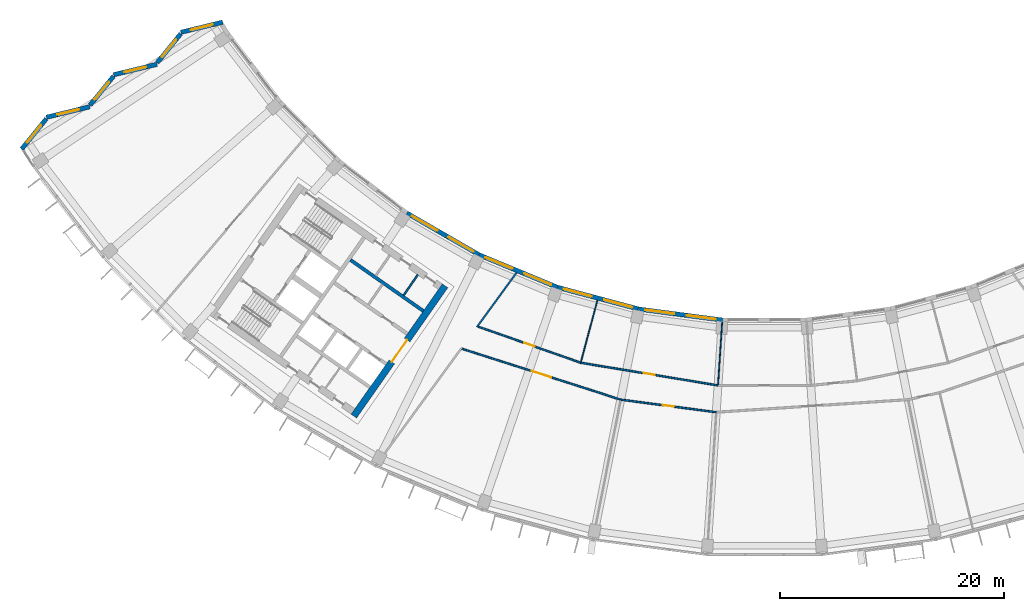
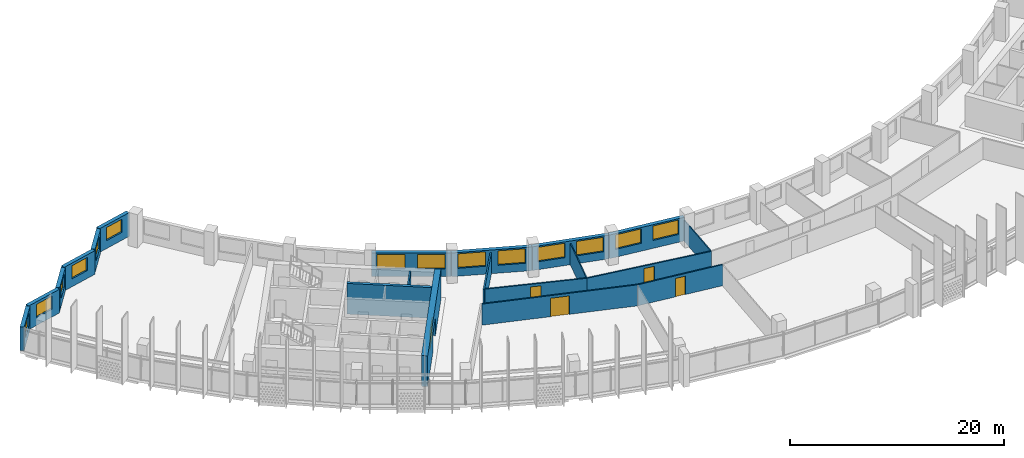
# One storey, part 4 of 27: 20 walls, 14 windows, 5 doors, 19 openings.
"""IFC4 building model written with IfcOpenShell, lengths in metres."""

from ifc_helpers import new_model, si_unit, direction, frame, frame_2d, origin, place, context, subcontext, project, spatial, rectangle, extrude, material, layer, layer_set, type_object, element, fill, save


model = new_model("IFC4")

# Units and contexts
model_context = context("Model", 3, precision=1e-05, world=origin(), true_north=direction((0.0, 1.0)))
body_context = subcontext(model_context, "Body", "Model", "MODEL_VIEW")
ifc_project = project(units=[si_unit("LENGTHUNIT", "METRE"), si_unit("AREAUNIT", "SQUARE_METRE"), si_unit("VOLUMEUNIT", "CUBIC_METRE"), si_unit("PLANEANGLEUNIT", "RADIAN"), si_unit("MASSUNIT", "GRAM", prefix="KILO")], contexts=[model_context])

# Site, building, storey
site_placement = place(None, origin())
site = spatial("IfcSite", under=ifc_project, at=site_placement, CompositionType="ELEMENT")
building_placement = place(site_placement, origin())
building = spatial("IfcBuilding", under=site, at=building_placement, Name="Qamariyya Broadcast Tower", CompositionType="ELEMENT")
storey_placement = place(building_placement, frame((0.0, 0.0, 211.300048828125)))
storey = spatial("IfcBuildingStorey", under=building, at=storey_placement, Name="L50", CompositionType="ELEMENT", Elevation=211.300048828125)

# Wall, opening, door
ifc_material_1 = material(Name="Concrete C60/75", Category="concrete")
ifc_layer_1 = layer(ifc_material_1, 0.60009765625)
ifc_layer_set_1 = layer_set([ifc_layer_1], Name="Core wall 600 mm Concrete C60/75")
wall_type_1 = type_object("IfcWallType", Name="Core wall 600 mm Concrete C60/75", PredefinedType="SHEAR", material=ifc_layer_set_1)
wall_1_placement = place(storey_placement, frame((-36.66748046875, -66.005126953125, 0.0), z_axis=(0.0, 0.0, 1.0), x_axis=(0.573568499524, 0.819157601658, 0.0)))
wall_1 = element("IfcWall", 1, at=wall_1_placement, inside=storey, type_object=wall_type_1, Name="k-W-L50-WA", PredefinedType="SHEAR", context=body_context, shape_type="SweptSolid", body=[
    extrude(rectangle(XDim=14.19970703125, YDim=0.60009765625, at=frame_2d((7.099853515625, 0.0))), origin(), (0.0, 0.0, 1.0), 3.5),
])
opening_1_placement = place(wall_1_placement, frame((5.89990234375, 0.0, 0.0)))
opening_1 = element("IfcOpeningElement", 2, at=opening_1_placement, cuts=wall_1, Name="Opening KD3-W1", PredefinedType="OPENING", context=body_context, shape_type="SweptSolid", body=[
    extrude(rectangle(XDim=2.39990234375, YDim=2.10009765625, at=frame_2d((1.199951171875, 1.050048828125))), frame((0.0, 0.31005859375, 0.0), z_axis=(0.0, -1.0, 0.0), x_axis=(1.0, 0.0, 0.0)), (0.0, 0.0, 1.0), 0.6201171875),
])
ifc_material_2 = material(Name="Steel fire-resisting door leaf", Category="steel")
door_type_1 = type_object("IfcDoorType", Name="Lift lobby door KD3", OperationType="DOUBLE_DOOR_SINGLE_SWING", PredefinedType="DOOR", material=ifc_material_2)
door_1_placement = place(opening_1_placement, origin())
door_1 = element("IfcDoor", 3, at=door_1_placement, inside=storey, type_object=door_type_1, Name="k-W-L50-WA-D1", OperationType="DOUBLE_DOOR_SINGLE_SWING", OverallHeight=2.10009765625, OverallWidth=2.39990234375, PredefinedType="DOOR", context=body_context, shape_type="SweptSolid", body=[
    extrude(rectangle(XDim=2.39990234375, YDim=2.10009765625, at=frame_2d((1.199951171875, 1.050048828125))), frame((0.0, 0.02490234375, 0.0), z_axis=(0.0, -1.0, 0.0), x_axis=(1.0, 0.0, 0.0)), (0.0, 0.0, 1.0), 0.050048828125),
])
fill(opening_1, door_1)

ifc_material_3 = material(Name="Gypsum board partition")
ifc_layer_2 = layer(ifc_material_3, 0.14990234375)
ifc_layer_set_2 = layer_set([ifc_layer_2], Name="Corridor partition 150 EI 60")
wall_type_2 = type_object("IfcWallType", Name="Corridor partition 150 EI 60", PredefinedType="PARTITIONING", material=ifc_layer_set_2)
wall_2_placement = place(storey_placement, frame((-12.8369140625, -64.53564453125, 0.0), z_axis=(0.0, 0.0, 1.0), x_axis=(-0.952262843537, 0.305279342273, 0.0)))
wall_2 = element("IfcWall", 4, at=wall_2_placement, inside=storey, type_object=wall_type_2, Name="Partition L50-003", PredefinedType="PARTITIONING", context=body_context, shape_type="SweptSolid", body=[
    extrude(rectangle(XDim=14.879638671875, YDim=0.14990234375, at=frame_2d((7.43994140625, 0.0))), origin(), (0.0, 0.0, 1.0), 2.39990234375),
])
opening_2_placement = place(wall_2_placement, frame((6.539794921875, 0.0, 0.0)))
opening_2 = element("IfcOpeningElement", 5, at=opening_2_placement, cuts=wall_2, Name="Opening L50-D01", PredefinedType="OPENING", context=body_context, shape_type="SweptSolid", body=[
    extrude(rectangle(XDim=1.800048828125, YDim=2.10009765625, at=frame_2d((0.89990234375, 1.050048828125))), frame((0.0, 0.0849609375, 0.0), z_axis=(0.0, -1.0, 0.0), x_axis=(1.0, 0.0, 0.0)), (0.0, 0.0, 1.0), 0.169921875),
])
ifc_material_4 = material(Name="Timber fire door leaf", Category="wood")
door_type_2 = type_object("IfcDoorType", Name="Double fire door 1800 x 2100 FD60", OperationType="NOTDEFINED", PredefinedType="DOOR", material=ifc_material_4)
door_2_placement = place(opening_2_placement, origin())
door_2 = element("IfcDoor", 6, at=door_2_placement, inside=storey, type_object=door_type_2, Name="Door L50-D01", OperationType="DOUBLE_DOOR_SINGLE_SWING", OverallHeight=2.10009765625, OverallWidth=1.800048828125, PredefinedType="DOOR", context=body_context, shape_type="SweptSolid", body=[
    extrude(rectangle(XDim=1.800048828125, YDim=2.10009765625, at=frame_2d((0.89990234375, 1.050048828125))), frame((0.0, 0.02490234375, 0.0), z_axis=(0.0, -1.0, 0.0), x_axis=(1.0, 0.0, 0.0)), (0.0, 0.0, 1.0), 0.050048828125),
])
fill(opening_2, door_2)

wall_3_placement = place(storey_placement, frame((-25.56103515625, -58.0126953125, 0.0), z_axis=(0.0, 0.0, 1.0), x_axis=(0.943087830275, -0.332543748081, 0.0)))
wall_3 = element("IfcWall", 7, at=wall_3_placement, inside=storey, type_object=wall_type_2, Name="Partition L50-004", PredefinedType="PARTITIONING", context=body_context, shape_type="SweptSolid", body=[
    extrude(rectangle(XDim=9.7041015625, YDim=0.14990234375, at=frame_2d((4.85205078125, 0.0))), origin(), (0.0, 0.0, 1.0), 2.39990234375),
])
opening_3_placement = place(wall_3_placement, frame((4.35205078125, 0.0, 0.0)))
opening_3 = element("IfcOpeningElement", 8, at=opening_3_placement, cuts=wall_3, Name="Opening L50-D06", PredefinedType="OPENING", context=body_context, shape_type="SweptSolid", body=[
    extrude(rectangle(XDim=1.0, YDim=2.10009765625, at=frame_2d((0.5, 1.050048828125))), frame((0.0, 0.0849609375, 0.0), z_axis=(0.0, -1.0, 0.0), x_axis=(1.0, 0.0, 0.0)), (0.0, 0.0, 1.0), 0.169921875),
])
door_type_3 = type_object("IfcDoorType", Name="Fire door 1000 x 2100 FD60", OperationType="NOTDEFINED", PredefinedType="DOOR", material=ifc_material_4)
door_3_placement = place(opening_3_placement, origin())
door_3 = element("IfcDoor", 9, at=door_3_placement, inside=storey, type_object=door_type_3, Name="Door L50-D06", OperationType="SINGLE_SWING_RIGHT", OverallHeight=2.10009765625, OverallWidth=1.0, PredefinedType="DOOR", context=body_context, shape_type="SweptSolid", body=[
    extrude(rectangle(XDim=1.0, YDim=2.10009765625, at=frame_2d((0.5, 1.050048828125))), frame((0.0, 0.02490234375, 0.0), z_axis=(0.0, -1.0, 0.0), x_axis=(1.0, 0.0, 0.0)), (0.0, 0.0, 1.0), 0.050048828125),
])
fill(opening_3, door_3)

# Wall
wall_4_placement = place(storey_placement, frame((-22.135498046875, -53.1943359375, 0.0), z_axis=(0.0, 0.0, 1.0), x_axis=(-0.589297062476, -0.807916438846, 0.0)))
element("IfcWall", 10, at=wall_4_placement, inside=storey, type_object=wall_type_2, Name="Partition L50-005", PredefinedType="PARTITIONING", context=body_context, shape_type="SweptSolid", body=[
    extrude(rectangle(XDim=6.008056640625, YDim=0.14990234375, at=frame_2d((3.00390625, 0.0))), origin(), (0.0, 0.0, 1.0), 2.39990234375),
])

# Wall, opening, door
wall_5_placement = place(storey_placement, frame((-16.4091796875, -61.23974609375, 0.0), z_axis=(0.0, 0.0, 1.0), x_axis=(0.986645467323, -0.162882539919, 0.0)))
wall_5 = element("IfcWall", 11, at=wall_5_placement, inside=storey, type_object=wall_type_2, Name="Partition L50-006", PredefinedType="PARTITIONING", context=body_context, shape_type="SweptSolid", body=[
    extrude(rectangle(XDim=12.4287109375, YDim=0.14990234375, at=frame_2d((6.21435546875, 0.0))), origin(), (0.0, 0.0, 1.0), 2.39990234375),
])
opening_4_placement = place(wall_5_placement, frame((5.71435546875, 0.0, 0.0)))
opening_4 = element("IfcOpeningElement", 12, at=opening_4_placement, cuts=wall_5, Name="Opening L50-D07", PredefinedType="OPENING", context=body_context, shape_type="SweptSolid", body=[
    extrude(rectangle(XDim=1.0, YDim=2.10009765625, at=frame_2d((0.5, 1.050048828125))), frame((0.0, 0.0849609375, 0.0), z_axis=(0.0, -1.0, 0.0), x_axis=(1.0, 0.0, 0.0)), (0.0, 0.0, 1.0), 0.169921875),
])
door_4_placement = place(opening_4_placement, origin())
door_4 = element("IfcDoor", 13, at=door_4_placement, inside=storey, type_object=door_type_3, Name="Door L50-D07", OperationType="SINGLE_SWING_RIGHT", OverallHeight=2.10009765625, OverallWidth=1.0, PredefinedType="DOOR", context=body_context, shape_type="SweptSolid", body=[
    extrude(rectangle(XDim=1.0, YDim=2.10009765625, at=frame_2d((0.5, 1.050048828125))), frame((0.0, 0.02490234375, 0.0), z_axis=(0.0, -1.0, 0.0), x_axis=(1.0, 0.0, 0.0)), (0.0, 0.0, 1.0), 0.050048828125),
])
fill(opening_4, door_4)

wall_6_placement = place(storey_placement, frame((-4.303466796875, -65.6591796875, 0.0), z_axis=(0.0, 0.0, 1.0), x_axis=(-0.991443575654, 0.130535957862, 0.0)))
wall_6 = element("IfcWall", 14, at=wall_6_placement, inside=storey, type_object=wall_type_2, Name="Partition L50-009", PredefinedType="PARTITIONING", context=body_context, shape_type="SweptSolid", body=[
    extrude(rectangle(XDim=8.607177734375, YDim=0.14990234375, at=frame_2d((4.3037109375, 0.0))), origin(), (0.0, 0.0, 1.0), 2.39990234375),
])
opening_5_placement = place(wall_6_placement, frame((3.803466796875, 0.0, 0.0)))
opening_5 = element("IfcOpeningElement", 15, at=opening_5_placement, cuts=wall_6, Name="Opening L50-D02", PredefinedType="OPENING", context=body_context, shape_type="SweptSolid", body=[
    extrude(rectangle(XDim=1.0, YDim=2.10009765625, at=frame_2d((0.5, 1.050048828125))), frame((0.0, 0.0849609375, 0.0), z_axis=(0.0, -1.0, 0.0), x_axis=(1.0, 0.0, 0.0)), (0.0, 0.0, 1.0), 0.169921875),
])
door_5_placement = place(opening_5_placement, origin())
door_5 = element("IfcDoor", 16, at=door_5_placement, inside=storey, type_object=door_type_3, Name="Door L50-D02", OperationType="SINGLE_SWING_RIGHT", OverallHeight=2.10009765625, OverallWidth=1.0, PredefinedType="DOOR", context=body_context, shape_type="SweptSolid", body=[
    extrude(rectangle(XDim=1.0, YDim=2.10009765625, at=frame_2d((0.5, 1.050048828125))), frame((0.0, 0.02490234375, 0.0), z_axis=(0.0, -1.0, 0.0), x_axis=(1.0, 0.0, 0.0)), (0.0, 0.0, 1.0), 0.050048828125),
])
fill(opening_5, door_5)

# Walls
ifc_material_5 = material(Name="Gypsum board partition on steel studs", Category="steel")
ifc_layer_3 = layer(ifc_material_5, 0.14990234375)
ifc_layer_set_3 = layer_set([ifc_layer_3], Name="Gypsum board partition 150 mm")
wall_type_3 = type_object("IfcWallType", Name="Gypsum board partition 150 mm", PredefinedType="PARTITIONING", material=ifc_layer_set_3)
wall_7_placement = place(storey_placement, frame((-32.2177734375, -55.204345703125, 0.0), z_axis=(0.0, 0.0, 1.0), x_axis=(0.573581496053, 0.819148501424, 0.0)))
element("IfcWall", 17, at=wall_7_placement, inside=storey, type_object=wall_type_3, Name="k-W-L50-NP225", PredefinedType="PARTITIONING", context=body_context, shape_type="SweptSolid", body=[
    extrude(rectangle(XDim=2.2001953125, YDim=0.14990234375, at=frame_2d((1.10009765625, 0.0))), origin(), (0.0, 0.0, 1.0), 3.5),
])
ifc_layer_4 = layer(ifc_material_1, 0.300048828125)
ifc_layer_set_4 = layer_set([ifc_layer_4], Name="Lift shaft wall 300 mm Concrete C60/75")
wall_type_4 = type_object("IfcWallType", Name="Lift shaft wall 300 mm Concrete C60/75", PredefinedType="SOLIDWALL", material=ifc_layer_set_4)
wall_8_placement = place(storey_placement, frame((-30.460693359375, -56.61767578125, 0.0), z_axis=(0.0, 0.0, 1.0), x_axis=(-0.819142461705, 0.573590121456, 0.0)))
element("IfcWall", 18, at=wall_8_placement, inside=storey, type_object=wall_type_4, Name="k-W-L50-NB0", PredefinedType="SOLIDWALL", context=body_context, shape_type="SweptSolid", body=[
    extrude(rectangle(XDim=7.949951171875, YDim=0.300048828125, at=frame_2d((3.97509765625, 0.0))), origin(), (0.0, 0.0, 1.0), 3.5),
])
ifc_layer_5 = layer(ifc_material_3, 0.10009765625)
ifc_layer_set_5 = layer_set([ifc_layer_5], Name="Partition 100")
wall_type_5 = type_object("IfcWallType", Name="Partition 100", PredefinedType="PARTITIONING", material=ifc_layer_set_5)
wall_9_placement = place(storey_placement, frame((-14.9150390625, -55.66357421875, 0.0), z_axis=(0.0, 0.0, 1.0), x_axis=(-0.258803907589, -0.965929882247, 0.0)))
element("IfcWall", 19, at=wall_9_placement, inside=storey, type_object=wall_type_5, Name="Partition L50-008", PredefinedType="PARTITIONING", context=body_context, shape_type="SweptSolid", body=[
    extrude(rectangle(XDim=5.69775390625, YDim=0.10009765625, at=frame_2d((2.848876953125, 0.0))), origin(), (0.0, 0.0, 1.0), 2.39990234375),
])
wall_10_placement = place(storey_placement, frame((-3.777099609375, -57.62646484375, 0.0), z_axis=(0.0, 0.0, 1.0), x_axis=(-0.065382488891, -0.997860275864, 0.0)))
element("IfcWall", 20, at=wall_10_placement, inside=storey, type_object=wall_type_5, Name="Partition L50-013", PredefinedType="PARTITIONING", context=body_context, shape_type="SweptSolid", body=[
    extrude(rectangle(XDim=5.574951171875, YDim=0.10009765625, at=frame_2d((2.78759765625, 0.0))), origin(), (0.0, 0.0, 1.0), 2.39990234375),
])

# Wall, opening, window
ifc_material_6 = material(Name="Terracotta", Category="masonry")
ifc_layer_6 = layer(ifc_material_6, 0.39990234375)
ifc_layer_set_6 = layer_set([ifc_layer_6], Name="Terracotta clad wall 400")
wall_type_6 = type_object("IfcWallType", Name="Terracotta clad wall 400", PredefinedType="SOLIDWALL", material=ifc_layer_set_6)
wall_11_placement = place(storey_placement, frame((-48.383056640625, -30.82568359375, 0.0), z_axis=(0.0, 0.0, 1.0), x_axis=(-0.972111725293, -0.234518215814, 0.0)))
wall_11 = element("IfcWall", 21, at=wall_11_placement, inside=storey, type_object=wall_type_6, Name="e-wl-L50-capW0", PredefinedType="SOLIDWALL", context=body_context, shape_type="SweptSolid", body=[
    extrude(rectangle(XDim=3.837158203125, YDim=0.39990234375, at=frame_2d((1.91845703125, 0.0))), origin(), (0.0, 0.0, 1.0), 2.699951171875),
])
opening_6_placement = place(wall_11_placement, frame((0.91845703125, 0.0, 0.89990234375)))
opening_6 = element("IfcOpeningElement", 22, at=opening_6_placement, cuts=wall_11, Name="Opening W4", PredefinedType="OPENING", context=body_context, shape_type="SweptSolid", body=[
    extrude(rectangle(XDim=2.0, YDim=1.5, at=frame_2d((1.0, 0.75))), frame((0.0, 0.2099609375, 0.0), z_axis=(0.0, -1.0, 0.0), x_axis=(1.0, 0.0, 0.0)), (0.0, 0.0, 1.0), 0.419921875),
])
ifc_material_7 = material(Name="Clear low-e double glazed unit in aluminium frame", Category="aluminium")
window_type_1 = type_object("IfcWindowType", Name="Horn bay window 2000 x 1500", PartitioningType="SINGLE_PANEL", PredefinedType="WINDOW", material=ifc_material_7)
window_1_placement = place(opening_6_placement, origin())
window_1 = element("IfcWindow", 23, at=window_1_placement, inside=storey, type_object=window_type_1, Name="e-w-L50-capW0", OverallHeight=1.5, OverallWidth=2.0, PartitioningType="SINGLE_PANEL", PredefinedType="WINDOW", context=body_context, shape_type="SweptSolid", body=[
    extrude(rectangle(XDim=2.0, YDim=1.5, at=frame_2d((1.0, 0.75))), frame((0.0, 0.030029296875, 0.0), z_axis=(0.0, -1.0, 0.0), x_axis=(1.0, 0.0, 0.0)), (0.0, 0.0, 1.0), 0.06005859375),
])
fill(opening_6, window_1)

wall_12_placement = place(storey_placement, frame((-52.133056640625, -31.865478515625, 0.0), z_axis=(0.0, 0.0, 1.0), x_axis=(-0.630443375628, -0.776235241487, 0.0)))
wall_12 = element("IfcWall", 24, at=wall_12_placement, inside=storey, type_object=wall_type_6, Name="e-wl-L50-capW1", PredefinedType="SOLIDWALL", context=body_context, shape_type="SweptSolid", body=[
    extrude(rectangle(XDim=3.32568359375, YDim=0.39990234375, at=frame_2d((1.662841796875, 0.0))), origin(), (0.0, 0.0, 1.0), 2.699951171875),
])
opening_7_placement = place(wall_12_placement, frame((0.662841796875, 0.0, 0.89990234375)))
opening_7 = element("IfcOpeningElement", 25, at=opening_7_placement, cuts=wall_12, Name="Opening W4", PredefinedType="OPENING", context=body_context, shape_type="SweptSolid", body=[
    extrude(rectangle(XDim=2.0, YDim=1.5, at=frame_2d((1.0, 0.75))), frame((0.0, 0.2099609375, 0.0), z_axis=(0.0, -1.0, 0.0), x_axis=(1.0, 0.0, 0.0)), (0.0, 0.0, 1.0), 0.419921875),
])
window_2_placement = place(opening_7_placement, origin())
window_2 = element("IfcWindow", 26, at=window_2_placement, inside=storey, type_object=window_type_1, Name="e-w-L50-capW1", OverallHeight=1.5, OverallWidth=2.0, PartitioningType="SINGLE_PANEL", PredefinedType="WINDOW", context=body_context, shape_type="SweptSolid", body=[
    extrude(rectangle(XDim=2.0, YDim=1.5, at=frame_2d((1.0, 0.75))), frame((0.0, 0.030029296875, 0.0), z_axis=(0.0, -1.0, 0.0), x_axis=(1.0, 0.0, 0.0)), (0.0, 0.0, 1.0), 0.06005859375),
])
fill(opening_7, window_2)

wall_13_placement = place(storey_placement, frame((-54.24951171875, -34.586669921875, 0.0), z_axis=(0.0, 0.0, 1.0), x_axis=(-0.972074966193, -0.234670535221, 0.0)))
wall_13 = element("IfcWall", 27, at=wall_13_placement, inside=storey, type_object=wall_type_6, Name="e-wl-L50-capW2", PredefinedType="SOLIDWALL", context=body_context, shape_type="SweptSolid", body=[
    extrude(rectangle(XDim=3.977294921875, YDim=0.39990234375, at=frame_2d((1.98876953125, 0.0))), origin(), (0.0, 0.0, 1.0), 2.699951171875),
])
opening_8_placement = place(wall_13_placement, frame((0.988525390625, 0.0, 0.89990234375)))
opening_8 = element("IfcOpeningElement", 28, at=opening_8_placement, cuts=wall_13, Name="Opening W4", PredefinedType="OPENING", context=body_context, shape_type="SweptSolid", body=[
    extrude(rectangle(XDim=2.0, YDim=1.5, at=frame_2d((1.0, 0.75))), frame((0.0, 0.2099609375, 0.0), z_axis=(0.0, -1.0, 0.0), x_axis=(1.0, 0.0, 0.0)), (0.0, 0.0, 1.0), 0.419921875),
])
window_3_placement = place(opening_8_placement, origin())
window_3 = element("IfcWindow", 29, at=window_3_placement, inside=storey, type_object=window_type_1, Name="e-w-L50-capW2", OverallHeight=1.5, OverallWidth=2.0, PartitioningType="SINGLE_PANEL", PredefinedType="WINDOW", context=body_context, shape_type="SweptSolid", body=[
    extrude(rectangle(XDim=2.0, YDim=1.5, at=frame_2d((1.0, 0.75))), frame((0.0, 0.030029296875, 0.0), z_axis=(0.0, -1.0, 0.0), x_axis=(1.0, 0.0, 0.0)), (0.0, 0.0, 1.0), 0.06005859375),
])
fill(opening_8, window_3)

wall_14_placement = place(storey_placement, frame((-58.135498046875, -35.65966796875, 0.0), z_axis=(0.0, 0.0, 1.0), x_axis=(-0.630374192971, -0.776291425198, 0.0)))
wall_14 = element("IfcWall", 30, at=wall_14_placement, inside=storey, type_object=wall_type_6, Name="e-wl-L50-capW3", PredefinedType="SOLIDWALL", context=body_context, shape_type="SweptSolid", body=[
    extrude(rectangle(XDim=3.324462890625, YDim=0.39990234375, at=frame_2d((1.662109375, 0.0))), origin(), (0.0, 0.0, 1.0), 2.699951171875),
])
opening_9_placement = place(wall_14_placement, frame((0.662353515625, 0.0, 0.89990234375)))
opening_9 = element("IfcOpeningElement", 31, at=opening_9_placement, cuts=wall_14, Name="Opening W4", PredefinedType="OPENING", context=body_context, shape_type="SweptSolid", body=[
    extrude(rectangle(XDim=2.0, YDim=1.5, at=frame_2d((1.0, 0.75))), frame((0.0, 0.2099609375, 0.0), z_axis=(0.0, -1.0, 0.0), x_axis=(1.0, 0.0, 0.0)), (0.0, 0.0, 1.0), 0.419921875),
])
window_4_placement = place(opening_9_placement, origin())
window_4 = element("IfcWindow", 32, at=window_4_placement, inside=storey, type_object=window_type_1, Name="e-w-L50-capW3", OverallHeight=1.5, OverallWidth=2.0, PartitioningType="SINGLE_PANEL", PredefinedType="WINDOW", context=body_context, shape_type="SweptSolid", body=[
    extrude(rectangle(XDim=2.0, YDim=1.5, at=frame_2d((1.0, 0.75))), frame((0.0, 0.030029296875, 0.0), z_axis=(0.0, -1.0, 0.0), x_axis=(1.0, 0.0, 0.0)), (0.0, 0.0, 1.0), 0.06005859375),
])
fill(opening_9, window_4)

wall_15_placement = place(storey_placement, frame((-60.2509765625, -38.38037109375, 0.0), z_axis=(0.0, 0.0, 1.0), x_axis=(-0.97207448529, -0.234672527257, 0.0)))
wall_15 = element("IfcWall", 33, at=wall_15_placement, inside=storey, type_object=wall_type_6, Name="e-wl-L50-capW4", PredefinedType="SOLIDWALL", context=body_context, shape_type="SweptSolid", body=[
    extrude(rectangle(XDim=3.978271484375, YDim=0.39990234375, at=frame_2d((1.9892578125, 0.0))), origin(), (0.0, 0.0, 1.0), 2.699951171875),
])
opening_10_placement = place(wall_15_placement, frame((0.989013671875, 0.0, 0.89990234375)))
opening_10 = element("IfcOpeningElement", 34, at=opening_10_placement, cuts=wall_15, Name="Opening W4", PredefinedType="OPENING", context=body_context, shape_type="SweptSolid", body=[
    extrude(rectangle(XDim=2.0, YDim=1.5, at=frame_2d((1.0, 0.75))), frame((0.0, 0.2099609375, 0.0), z_axis=(0.0, -1.0, 0.0), x_axis=(1.0, 0.0, 0.0)), (0.0, 0.0, 1.0), 0.419921875),
])
window_5_placement = place(opening_10_placement, origin())
window_5 = element("IfcWindow", 35, at=window_5_placement, inside=storey, type_object=window_type_1, Name="e-w-L50-capW4", OverallHeight=1.5, OverallWidth=2.0, PartitioningType="SINGLE_PANEL", PredefinedType="WINDOW", context=body_context, shape_type="SweptSolid", body=[
    extrude(rectangle(XDim=2.0, YDim=1.5, at=frame_2d((1.0, 0.75))), frame((0.0, 0.030029296875, 0.0), z_axis=(0.0, -1.0, 0.0), x_axis=(1.0, 0.0, 0.0)), (0.0, 0.0, 1.0), 0.06005859375),
])
fill(opening_10, window_5)

wall_16_placement = place(storey_placement, frame((-64.137939453125, -39.453857421875, 0.0), z_axis=(0.0, 0.0, 1.0), x_axis=(-0.630312013258, -0.77634191304, 0.0)))
wall_16 = element("IfcWall", 36, at=wall_16_placement, inside=storey, type_object=wall_type_6, Name="e-wl-L50-capW5", PredefinedType="SOLIDWALL", context=body_context, shape_type="SweptSolid", body=[
    extrude(rectangle(XDim=3.472412109375, YDim=0.39990234375, at=frame_2d((1.736328125, 0.0))), origin(), (0.0, 0.0, 1.0), 2.699951171875),
])
opening_11_placement = place(wall_16_placement, frame((0.736083984375, 0.0, 0.89990234375)))
opening_11 = element("IfcOpeningElement", 37, at=opening_11_placement, cuts=wall_16, Name="Opening W4", PredefinedType="OPENING", context=body_context, shape_type="SweptSolid", body=[
    extrude(rectangle(XDim=2.0, YDim=1.5, at=frame_2d((1.0, 0.75))), frame((0.0, 0.2099609375, 0.0), z_axis=(0.0, -1.0, 0.0), x_axis=(1.0, 0.0, 0.0)), (0.0, 0.0, 1.0), 0.419921875),
])
window_6_placement = place(opening_11_placement, origin())
window_6 = element("IfcWindow", 38, at=window_6_placement, inside=storey, type_object=window_type_1, Name="e-w-L50-capW5", OverallHeight=1.5, OverallWidth=2.0, PartitioningType="SINGLE_PANEL", PredefinedType="WINDOW", context=body_context, shape_type="SweptSolid", body=[
    extrude(rectangle(XDim=2.0, YDim=1.5, at=frame_2d((1.0, 0.75))), frame((0.0, 0.030029296875, 0.0), z_axis=(0.0, -1.0, 0.0), x_axis=(1.0, 0.0, 0.0)), (0.0, 0.0, 1.0), 0.06005859375),
])
fill(opening_11, window_6)

# Wall, openings, windows
wall_17_placement = place(storey_placement, frame((-25.497802734375, -51.590087890625, 0.0), z_axis=(0.0, 0.0, 1.0), x_axis=(-0.866021353871, 0.500007014591, 0.0)))
wall_17 = element("IfcWall", 39, at=wall_17_placement, inside=storey, type_object=wall_type_6, Name="e-wl-L50-in40", PredefinedType="SOLIDWALL", context=body_context, shape_type="SweptSolid", body=[
    extrude(rectangle(XDim=7.4267578125, YDim=0.39990234375, at=frame_2d((3.71337890625, 0.0))), origin(), (0.0, 0.0, 1.0), 2.699951171875),
])
opening_12_placement = place(wall_17_placement, frame((4.28857421875, 0.0, 0.89990234375)))
opening_12 = element("IfcOpeningElement", 40, at=opening_12_placement, cuts=wall_17, Name="Opening W1", PredefinedType="OPENING", context=body_context, shape_type="SweptSolid", body=[
    extrude(rectangle(XDim=2.60009765625, YDim=1.64990234375, at=frame_2d((1.300048828125, 0.824951171875))), frame((0.0, 0.2099609375, 0.0), z_axis=(0.0, -1.0, 0.0), x_axis=(1.0, 0.0, 0.0)), (0.0, 0.0, 1.0), 0.419921875),
])
opening_13_placement = place(wall_17_placement, frame((0.537841796875, 0.0, 0.89990234375)))
opening_13 = element("IfcOpeningElement", 41, at=opening_13_placement, cuts=wall_17, Name="Opening W1", PredefinedType="OPENING", context=body_context, shape_type="SweptSolid", body=[
    extrude(rectangle(XDim=2.60009765625, YDim=1.64990234375, at=frame_2d((1.300048828125, 0.824951171875))), frame((0.0, 0.2099609375, 0.0), z_axis=(0.0, -1.0, 0.0), x_axis=(1.0, 0.0, 0.0)), (0.0, 0.0, 1.0), 0.419921875),
])
window_type_2 = type_object("IfcWindowType", Name="Ribbon window 2600 x 1650", PartitioningType="SINGLE_PANEL", PredefinedType="WINDOW", material=ifc_material_7)
window_7_placement = place(opening_12_placement, origin())
window_7 = element("IfcWindow", 42, at=window_7_placement, inside=storey, type_object=window_type_2, Name="e-w-L50-in04-0", OverallHeight=1.64990234375, OverallWidth=2.60009765625, PartitioningType="SINGLE_PANEL", PredefinedType="WINDOW", context=body_context, shape_type="SweptSolid", body=[
    extrude(rectangle(XDim=2.60009765625, YDim=1.64990234375, at=frame_2d((1.300048828125, 0.824951171875))), frame((0.0, 0.030029296875, 0.0), z_axis=(0.0, -1.0, 0.0), x_axis=(1.0, 0.0, 0.0)), (0.0, 0.0, 1.0), 0.06005859375),
])
fill(opening_12, window_7)
window_8_placement = place(opening_13_placement, origin())
window_8 = element("IfcWindow", 43, at=window_8_placement, inside=storey, type_object=window_type_2, Name="e-w-L50-in04-1", OverallHeight=1.64990234375, OverallWidth=2.60009765625, PartitioningType="SINGLE_PANEL", PredefinedType="WINDOW", context=body_context, shape_type="SweptSolid", body=[
    extrude(rectangle(XDim=2.60009765625, YDim=1.64990234375, at=frame_2d((1.300048828125, 0.824951171875))), frame((0.0, 0.030029296875, 0.0), z_axis=(0.0, -1.0, 0.0), x_axis=(1.0, 0.0, 0.0)), (0.0, 0.0, 1.0), 0.06005859375),
])
fill(opening_13, window_8)

wall_18_placement = place(storey_placement, frame((-18.475830078125, -54.505859375, 0.0), z_axis=(0.0, 0.0, 1.0), x_axis=(-0.923884115122, 0.382672368777, 0.0)))
wall_18 = element("IfcWall", 44, at=wall_18_placement, inside=storey, type_object=wall_type_6, Name="e-wl-L50-in50", PredefinedType="SOLIDWALL", context=body_context, shape_type="SweptSolid", body=[
    extrude(rectangle(XDim=7.578125, YDim=0.39990234375, at=frame_2d((3.7890625, 0.0))), origin(), (0.0, 0.0, 1.0), 2.699951171875),
])
opening_14_placement = place(wall_18_placement, frame((4.364501953125, 0.0, 0.89990234375)))
opening_14 = element("IfcOpeningElement", 45, at=opening_14_placement, cuts=wall_18, Name="Opening W1", PredefinedType="OPENING", context=body_context, shape_type="SweptSolid", body=[
    extrude(rectangle(XDim=2.60009765625, YDim=1.64990234375, at=frame_2d((1.300048828125, 0.824951171875))), frame((0.0, 0.2099609375, 0.0), z_axis=(0.0, -1.0, 0.0), x_axis=(1.0, 0.0, 0.0)), (0.0, 0.0, 1.0), 0.419921875),
])
opening_15_placement = place(wall_18_placement, frame((0.613525390625, 0.0, 0.89990234375)))
opening_15 = element("IfcOpeningElement", 46, at=opening_15_placement, cuts=wall_18, Name="Opening W1", PredefinedType="OPENING", context=body_context, shape_type="SweptSolid", body=[
    extrude(rectangle(XDim=2.60009765625, YDim=1.64990234375, at=frame_2d((1.300048828125, 0.824951171875))), frame((0.0, 0.2099609375, 0.0), z_axis=(0.0, -1.0, 0.0), x_axis=(1.0, 0.0, 0.0)), (0.0, 0.0, 1.0), 0.419921875),
])
window_9_placement = place(opening_14_placement, origin())
window_9 = element("IfcWindow", 47, at=window_9_placement, inside=storey, type_object=window_type_2, Name="e-w-L50-in05-0", OverallHeight=1.64990234375, OverallWidth=2.60009765625, PartitioningType="SINGLE_PANEL", PredefinedType="WINDOW", context=body_context, shape_type="SweptSolid", body=[
    extrude(rectangle(XDim=2.60009765625, YDim=1.64990234375, at=frame_2d((1.300048828125, 0.824951171875))), frame((0.0, 0.030029296875, 0.0), z_axis=(0.0, -1.0, 0.0), x_axis=(1.0, 0.0, 0.0)), (0.0, 0.0, 1.0), 0.06005859375),
])
fill(opening_14, window_9)
window_10_placement = place(opening_15_placement, origin())
window_10 = element("IfcWindow", 48, at=window_10_placement, inside=storey, type_object=window_type_2, Name="e-w-L50-in05-1", OverallHeight=1.64990234375, OverallWidth=2.60009765625, PartitioningType="SINGLE_PANEL", PredefinedType="WINDOW", context=body_context, shape_type="SweptSolid", body=[
    extrude(rectangle(XDim=2.60009765625, YDim=1.64990234375, at=frame_2d((1.300048828125, 0.824951171875))), frame((0.0, 0.030029296875, 0.0), z_axis=(0.0, -1.0, 0.0), x_axis=(1.0, 0.0, 0.0)), (0.0, 0.0, 1.0), 0.06005859375),
])
fill(opening_15, window_10)

wall_19_placement = place(storey_placement, frame((-11.276611328125, -56.431396484375, 0.0), z_axis=(0.0, 0.0, 1.0), x_axis=(-0.965924866111, 0.25882262851, 0.0)))
wall_19 = element("IfcWall", 49, at=wall_19_placement, inside=storey, type_object=wall_type_6, Name="e-wl-L50-in60", PredefinedType="SOLIDWALL", context=body_context, shape_type="SweptSolid", body=[
    extrude(rectangle(XDim=7.426513671875, YDim=0.39990234375, at=frame_2d((3.71337890625, 0.0))), origin(), (0.0, 0.0, 1.0), 2.699951171875),
])
opening_16_placement = place(wall_19_placement, frame((4.28857421875, 0.0, 0.89990234375)))
opening_16 = element("IfcOpeningElement", 50, at=opening_16_placement, cuts=wall_19, Name="Opening W1", PredefinedType="OPENING", context=body_context, shape_type="SweptSolid", body=[
    extrude(rectangle(XDim=2.60009765625, YDim=1.64990234375, at=frame_2d((1.300048828125, 0.824951171875))), frame((0.0, 0.2099609375, 0.0), z_axis=(0.0, -1.0, 0.0), x_axis=(1.0, 0.0, 0.0)), (0.0, 0.0, 1.0), 0.419921875),
])
opening_17_placement = place(wall_19_placement, frame((0.537841796875, 0.0, 0.89990234375)))
opening_17 = element("IfcOpeningElement", 51, at=opening_17_placement, cuts=wall_19, Name="Opening W1", PredefinedType="OPENING", context=body_context, shape_type="SweptSolid", body=[
    extrude(rectangle(XDim=2.60009765625, YDim=1.64990234375, at=frame_2d((1.300048828125, 0.824951171875))), frame((0.0, 0.2099609375, 0.0), z_axis=(0.0, -1.0, 0.0), x_axis=(1.0, 0.0, 0.0)), (0.0, 0.0, 1.0), 0.419921875),
])
window_11_placement = place(opening_16_placement, origin())
window_11 = element("IfcWindow", 52, at=window_11_placement, inside=storey, type_object=window_type_2, Name="e-w-L50-in06-0", OverallHeight=1.64990234375, OverallWidth=2.60009765625, PartitioningType="SINGLE_PANEL", PredefinedType="WINDOW", context=body_context, shape_type="SweptSolid", body=[
    extrude(rectangle(XDim=2.60009765625, YDim=1.64990234375, at=frame_2d((1.300048828125, 0.824951171875))), frame((0.0, 0.030029296875, 0.0), z_axis=(0.0, -1.0, 0.0), x_axis=(1.0, 0.0, 0.0)), (0.0, 0.0, 1.0), 0.06005859375),
])
fill(opening_16, window_11)
window_12_placement = place(opening_17_placement, origin())
window_12 = element("IfcWindow", 53, at=window_12_placement, inside=storey, type_object=window_type_2, Name="e-w-L50-in06-1", OverallHeight=1.64990234375, OverallWidth=2.60009765625, PartitioningType="SINGLE_PANEL", PredefinedType="WINDOW", context=body_context, shape_type="SweptSolid", body=[
    extrude(rectangle(XDim=2.60009765625, YDim=1.64990234375, at=frame_2d((1.300048828125, 0.824951171875))), frame((0.0, 0.030029296875, 0.0), z_axis=(0.0, -1.0, 0.0), x_axis=(1.0, 0.0, 0.0)), (0.0, 0.0, 1.0), 0.06005859375),
])
fill(opening_17, window_12)

wall_20_placement = place(storey_placement, frame((-3.7392578125, -57.430419921875, 0.0), z_axis=(0.0, 0.0, 1.0), x_axis=(-0.991446288508, 0.130515351599, 0.0)))
wall_20 = element("IfcWall", 54, at=wall_20_placement, inside=storey, type_object=wall_type_6, Name="e-wl-L50-in70", PredefinedType="SOLIDWALL", context=body_context, shape_type="SweptSolid", body=[
    extrude(rectangle(XDim=7.57763671875, YDim=0.39990234375, at=frame_2d((3.788818359375, 0.0))), origin(), (0.0, 0.0, 1.0), 2.699951171875),
])
opening_18_placement = place(wall_20_placement, frame((4.364501953125, 0.0, 0.89990234375)))
opening_18 = element("IfcOpeningElement", 55, at=opening_18_placement, cuts=wall_20, Name="Opening W1", PredefinedType="OPENING", context=body_context, shape_type="SweptSolid", body=[
    extrude(rectangle(XDim=2.60009765625, YDim=1.64990234375, at=frame_2d((1.300048828125, 0.824951171875))), frame((0.0, 0.2099609375, 0.0), z_axis=(0.0, -1.0, 0.0), x_axis=(1.0, 0.0, 0.0)), (0.0, 0.0, 1.0), 0.419921875),
])
opening_19_placement = place(wall_20_placement, frame((0.613525390625, 0.0, 0.89990234375)))
opening_19 = element("IfcOpeningElement", 56, at=opening_19_placement, cuts=wall_20, Name="Opening W1", PredefinedType="OPENING", context=body_context, shape_type="SweptSolid", body=[
    extrude(rectangle(XDim=2.60009765625, YDim=1.64990234375, at=frame_2d((1.300048828125, 0.824951171875))), frame((0.0, 0.2099609375, 0.0), z_axis=(0.0, -1.0, 0.0), x_axis=(1.0, 0.0, 0.0)), (0.0, 0.0, 1.0), 0.419921875),
])
window_13_placement = place(opening_18_placement, origin())
window_13 = element("IfcWindow", 57, at=window_13_placement, inside=storey, type_object=window_type_2, Name="e-w-L50-in07-0", OverallHeight=1.64990234375, OverallWidth=2.60009765625, PartitioningType="SINGLE_PANEL", PredefinedType="WINDOW", context=body_context, shape_type="SweptSolid", body=[
    extrude(rectangle(XDim=2.60009765625, YDim=1.64990234375, at=frame_2d((1.300048828125, 0.824951171875))), frame((0.0, 0.030029296875, 0.0), z_axis=(0.0, -1.0, 0.0), x_axis=(1.0, 0.0, 0.0)), (0.0, 0.0, 1.0), 0.06005859375),
])
fill(opening_18, window_13)
window_14_placement = place(opening_19_placement, origin())
window_14 = element("IfcWindow", 58, at=window_14_placement, inside=storey, type_object=window_type_2, Name="e-w-L50-in07-1", OverallHeight=1.64990234375, OverallWidth=2.60009765625, PartitioningType="SINGLE_PANEL", PredefinedType="WINDOW", context=body_context, shape_type="SweptSolid", body=[
    extrude(rectangle(XDim=2.60009765625, YDim=1.64990234375, at=frame_2d((1.300048828125, 0.824951171875))), frame((0.0, 0.030029296875, 0.0), z_axis=(0.0, -1.0, 0.0), x_axis=(1.0, 0.0, 0.0)), (0.0, 0.0, 1.0), 0.06005859375),
])
fill(opening_19, window_14)

save(model, "model.ifc")
